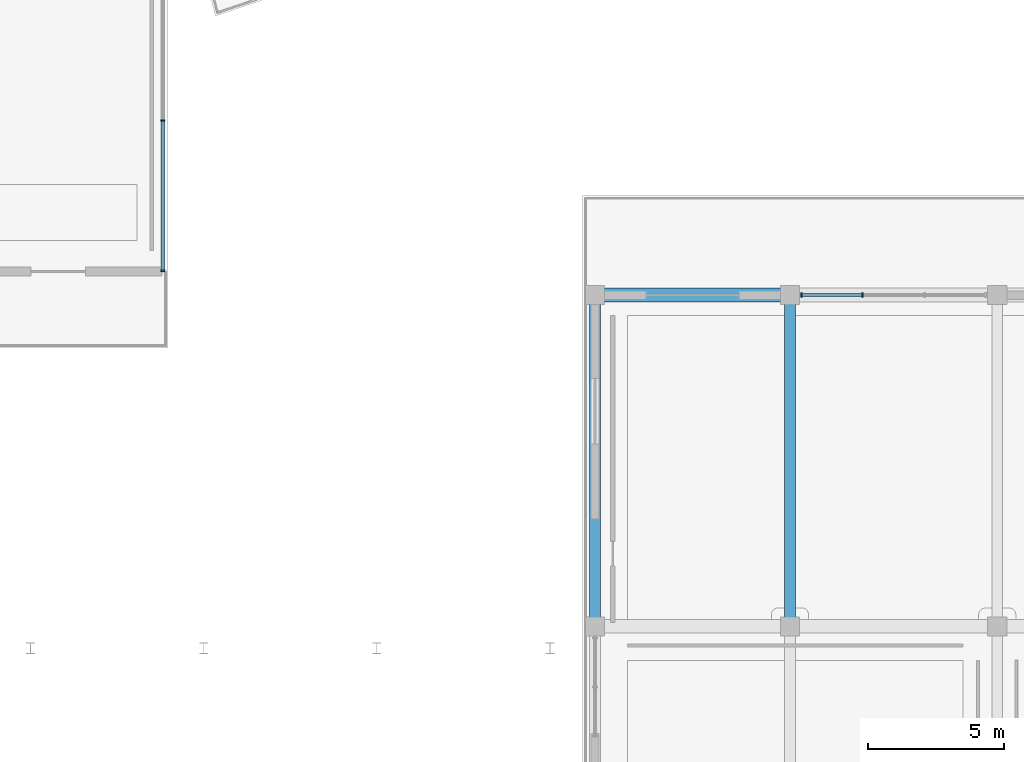
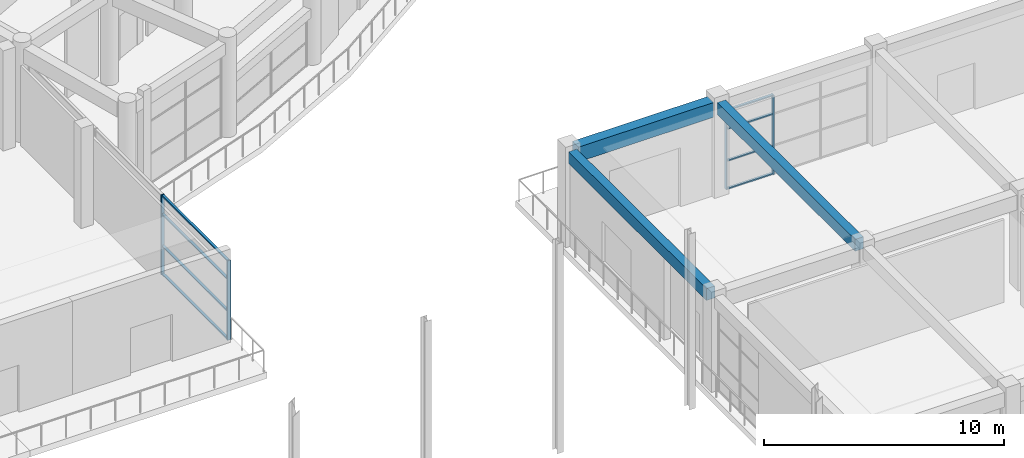
# One storey, part 26 of 99: 12 members, 3 beams, 2 elements without a shape of their own.
"""IFC4 building model written with IfcOpenShell, lengths in metres."""

from ifc_helpers import new_model, si_unit, direction, frame, origin, origin_2d, place, context, subcontext, project, spatial, rectangle, extrude, material, material_profile, profile_set, type_object, element, aggregate, save


model = new_model("IFC4")

# Units and contexts
model_context = context("Model", 3, precision=1e-05, world=origin(), true_north=direction((0.0, 1.0)))
body_context = subcontext(model_context, "Body", "Model", "MODEL_VIEW")
ifc_project = project(units=[si_unit("LENGTHUNIT", "METRE"), si_unit("AREAUNIT", "SQUARE_METRE"), si_unit("VOLUMEUNIT", "CUBIC_METRE"), si_unit("PLANEANGLEUNIT", "RADIAN"), si_unit("MASSUNIT", "GRAM", prefix="KILO")], contexts=[model_context])

# Site, building, storey
site_placement = place(None, origin())
site = spatial("IfcSite", under=ifc_project, at=site_placement, CompositionType="ELEMENT")
building_placement = place(site_placement, origin())
building = spatial("IfcBuilding", under=site, at=building_placement, Name="Saryqyr Civic Hall", CompositionType="ELEMENT")
storey_placement = place(building_placement, origin())
storey = spatial("IfcBuildingStorey", under=building, at=storey_placement, Name="L00", CompositionType="ELEMENT", Elevation=0.0)

# Curtain wall, members
ifc_material_1 = material(Name="Anodised aluminium and triple low-E glass", Category="aluminium")
curtain_wall_type_1 = type_object("IfcCurtainWallType", Name="ENV-CW-STD-59", PredefinedType="NOTDEFINED", material=ifc_material_1)
curtain_wall_1_placement = place(storey_placement, origin())
curtain_wall_1 = element("IfcCurtainWall", 1, at=curtain_wall_1_placement, inside=storey, type_object=curtain_wall_type_1, Name="Curtain wall V7E-CW-L00-2-1", PredefinedType="NOTDEFINED")
ifc_material_2 = material(Name="Anodised aluminium", Category="aluminium")
ifc_material_profile_1 = material_profile(ifc_material_2, rectangle(XDim=0.06005859375, YDim=0.159912109375, at=origin_2d()), Name="ALU MULLION 60x160")
ifc_profile_set_1 = profile_set([ifc_material_profile_1], Name="Anodised aluminium")
member_type_1 = type_object("IfcMemberType", Name="ENV-CW-MUL-180", PredefinedType="MULLION", material=ifc_profile_set_1)
member_1_placement = place(storey_placement, frame((91.6201171875, 24.75, 0.0), z_axis=(0.0, 0.0, 1.0), x_axis=(1.0, 0.0, 0.0)))
member_1 = element("IfcMember", 2, at=member_1_placement, type_object=member_type_1, Name="CW-59 mullion 1", PredefinedType="MULLION", context=body_context, shape_type="SweptSolid", body=[
    extrude(rectangle(XDim=0.06005859375, YDim=0.159912109375, at=origin_2d()), origin(), (0.0, 0.0, 1.0), 4.044921875),
])
member_2_placement = place(storey_placement, frame((93.86328125, 24.75, 0.0), z_axis=(0.0, 0.0, 1.0), x_axis=(1.0, 0.0, 0.0)))
member_2 = element("IfcMember", 3, at=member_2_placement, type_object=member_type_1, Name="CW-59 mullion 2", PredefinedType="MULLION", context=body_context, shape_type="SweptSolid", body=[
    extrude(rectangle(XDim=0.06005859375, YDim=0.159912109375, at=origin_2d()), origin(), (0.0, 0.0, 1.0), 4.044921875),
])

curtain_wall_type_2 = type_object("IfcCurtainWallType", Name="ENV-CW-STD-64", PredefinedType="NOTDEFINED", material=ifc_material_1)
curtain_wall_2_placement = place(storey_placement, origin())
curtain_wall_2 = element("IfcCurtainWall", 4, at=curtain_wall_2_placement, inside=storey, type_object=curtain_wall_type_2, Name="Curtain wall V2-VESTFLK-SE-L00", PredefinedType="NOTDEFINED")
member_3_placement = place(storey_placement, frame((68.199951171875, 31.154541015625, 0.0), z_axis=(0.0, 0.0, 1.0), x_axis=(0.0, -1.0, 0.0)))
member_3 = element("IfcMember", 5, at=member_3_placement, type_object=member_type_1, Name="CW-64 mullion 3", PredefinedType="MULLION", context=body_context, shape_type="SweptSolid", body=[
    extrude(rectangle(XDim=0.06005859375, YDim=0.159912109375, at=origin_2d()), origin(), (0.0, 0.0, 1.0), 4.044921875),
])
member_4_placement = place(storey_placement, frame((68.199951171875, 25.639892578125, 0.0), z_axis=(0.0, 0.0, 1.0), x_axis=(0.0, -1.0, 0.0)))
member_4 = element("IfcMember", 6, at=member_4_placement, type_object=member_type_1, Name="CW-64 mullion 4", PredefinedType="MULLION", context=body_context, shape_type="SweptSolid", body=[
    extrude(rectangle(XDim=0.06005859375, YDim=0.159912109375, at=origin_2d()), origin(), (0.0, 0.0, 1.0), 4.044921875),
])

# Member
ifc_material_profile_2 = material_profile(ifc_material_2, rectangle(XDim=0.1201171875, YDim=0.06005859375, at=origin_2d()), Name="ALU TRANSOM 120x60")
ifc_profile_set_2 = profile_set([ifc_material_profile_2], Name="Anodised aluminium")
member_type_2 = type_object("IfcMemberType", Name="ENV-CW-TRN-150", PredefinedType="USERDEFINED", material=ifc_profile_set_2)
member_5_placement = place(storey_placement, frame((91.64990234375, 24.75, 0.030029296875), z_axis=(1.0, 0.0, 0.0), x_axis=(0.0, 1.0, 0.0)))
member_5 = element("IfcMember", 7, at=member_5_placement, type_object=member_type_2, Name="CW-59 transom 1.1", ObjectType="TRANSOM", PredefinedType="USERDEFINED", context=body_context, shape_type="SweptSolid", body=[
    extrude(rectangle(XDim=0.1201171875, YDim=0.06005859375, at=origin_2d()), origin(), (0.0, 0.0, 1.0), 2.183349609375),
])

member_6_placement = place(storey_placement, frame((91.64990234375, 24.75, 1.4560546875), z_axis=(1.0, 0.0, 0.0), x_axis=(0.0, 1.0, 0.0)))
member_6 = element("IfcMember", 8, at=member_6_placement, type_object=member_type_2, Name="CW-59 transom 1.2", ObjectType="TRANSOM", PredefinedType="USERDEFINED", context=body_context, shape_type="SweptSolid", body=[
    extrude(rectangle(XDim=0.1201171875, YDim=0.06005859375, at=origin_2d()), origin(), (0.0, 0.0, 1.0), 2.183349609375),
])

member_7_placement = place(storey_placement, frame((91.64990234375, 24.75, 3.073974609375), z_axis=(1.0, 0.0, 0.0), x_axis=(0.0, 1.0, 0.0)))
member_7 = element("IfcMember", 9, at=member_7_placement, type_object=member_type_2, Name="CW-59 transom 1.3", ObjectType="TRANSOM", PredefinedType="USERDEFINED", context=body_context, shape_type="SweptSolid", body=[
    extrude(rectangle(XDim=0.1201171875, YDim=0.06005859375, at=origin_2d()), origin(), (0.0, 0.0, 1.0), 2.183349609375),
])

member_8_placement = place(storey_placement, frame((91.64990234375, 24.75, 4.014892578125), z_axis=(1.0, 0.0, 0.0), x_axis=(0.0, 1.0, 0.0)))
member_8 = element("IfcMember", 10, at=member_8_placement, type_object=member_type_2, Name="CW-59 transom 1.4", ObjectType="TRANSOM", PredefinedType="USERDEFINED", context=body_context, shape_type="SweptSolid", body=[
    extrude(rectangle(XDim=0.1201171875, YDim=0.06005859375, at=origin_2d()), origin(), (0.0, 0.0, 1.0), 2.183349609375),
])

aggregate(curtain_wall_1, [member_1, member_2, member_5, member_6, member_7, member_8])

member_9_placement = place(storey_placement, frame((68.199951171875, 31.12451171875, 0.030029296875), z_axis=(0.0, -1.0, 0.0), x_axis=(1.0, 0.0, 0.0)))
member_9 = element("IfcMember", 11, at=member_9_placement, type_object=member_type_2, Name="CW-64 transom 3.1", ObjectType="TRANSOM", PredefinedType="USERDEFINED", context=body_context, shape_type="SweptSolid", body=[
    extrude(rectangle(XDim=0.1201171875, YDim=0.06005859375, at=origin_2d()), origin(), (0.0, 0.0, 1.0), 5.45458984375),
])

member_10_placement = place(storey_placement, frame((68.199951171875, 31.12451171875, 1.4560546875), z_axis=(0.0, -1.0, 0.0), x_axis=(1.0, 0.0, 0.0)))
member_10 = element("IfcMember", 12, at=member_10_placement, type_object=member_type_2, Name="CW-64 transom 3.2", ObjectType="TRANSOM", PredefinedType="USERDEFINED", context=body_context, shape_type="SweptSolid", body=[
    extrude(rectangle(XDim=0.1201171875, YDim=0.06005859375, at=origin_2d()), origin(), (0.0, 0.0, 1.0), 5.45458984375),
])

member_11_placement = place(storey_placement, frame((68.199951171875, 31.12451171875, 3.073974609375), z_axis=(0.0, -1.0, 0.0), x_axis=(1.0, 0.0, 0.0)))
member_11 = element("IfcMember", 13, at=member_11_placement, type_object=member_type_2, Name="CW-64 transom 3.3", ObjectType="TRANSOM", PredefinedType="USERDEFINED", context=body_context, shape_type="SweptSolid", body=[
    extrude(rectangle(XDim=0.1201171875, YDim=0.06005859375, at=origin_2d()), origin(), (0.0, 0.0, 1.0), 5.45458984375),
])

member_12_placement = place(storey_placement, frame((68.199951171875, 31.12451171875, 4.014892578125), z_axis=(0.0, -1.0, 0.0), x_axis=(1.0, 0.0, 0.0)))
member_12 = element("IfcMember", 14, at=member_12_placement, type_object=member_type_2, Name="CW-64 transom 3.4", ObjectType="TRANSOM", PredefinedType="USERDEFINED", context=body_context, shape_type="SweptSolid", body=[
    extrude(rectangle(XDim=0.1201171875, YDim=0.06005859375, at=origin_2d()), origin(), (0.0, 0.0, 1.0), 5.45458984375),
])

aggregate(curtain_wall_2, [member_3, member_4, member_9, member_10, member_11, member_12])

# Beams
ifc_material_3 = material(Name="Concrete C35/45", Category="concrete")
ifc_material_profile_3 = material_profile(ifc_material_3, rectangle(XDim=0.39990234375, YDim=0.60009765625, at=origin_2d()), Name="RC 400x600")
ifc_profile_set_3 = profile_set([ifc_material_profile_3], Name="Concrete C35/45")
beam_type_1 = type_object("IfcBeamType", Name="STR-BM-RC400x600", PredefinedType="BEAM", material=ifc_profile_set_3)
for number, where, z_axis, x_axis, name in (
    (15, (84.050048828125, 12.925048828125, 4.52001953125), (0.0, 1.0, 0.0), (-1.0, 0.0, 0.0), "Beam V7E-BM-NS12-L00"),
    (16, (91.199951171875, 12.925048828125, 4.52001953125), (0.0, 1.0, 0.0), (-1.0, 0.0, 0.0), "Beam V7E-BM-NS22-L00"),
):
    element("IfcBeam", number, at=place(storey_placement, frame(where, z_axis=z_axis, x_axis=x_axis)), inside=storey, type_object=beam_type_1, Name=name, PredefinedType="BEAM", context=body_context, shape_type="SweptSolid", body=[
        extrude(rectangle(XDim=0.39990234375, YDim=0.60009765625, at=origin_2d()), origin(), (0.0, 0.0, 1.0), 11.5),
    ])
ifc_material_4 = material(Name="Concrete C40/50", Category="concrete")
ifc_material_profile_4 = material_profile(ifc_material_4, rectangle(XDim=0.5, YDim=0.75, at=origin_2d()), Name="RC 500x750")
ifc_profile_set_4 = profile_set([ifc_material_profile_4], Name="Concrete C40/50")
beam_type_2 = type_object("IfcBeamType", Name="STR-BM-RC500x750", PredefinedType="BEAM", material=ifc_profile_set_4)
beam_placement = place(storey_placement, frame((84.375, 24.75, 4.445068359375), z_axis=(1.0, 0.0, 0.0), x_axis=(0.0, 1.0, 0.0)))
element("IfcBeam", 17, at=beam_placement, inside=storey, type_object=beam_type_2, Name="Beam V7E-BM-EW31-L00", PredefinedType="BEAM", context=body_context, shape_type="SweptSolid", body=[
    extrude(rectangle(XDim=0.5, YDim=0.75, at=origin_2d()), origin(), (0.0, 0.0, 1.0), 6.5),
])

save(model, "model.ifc")
